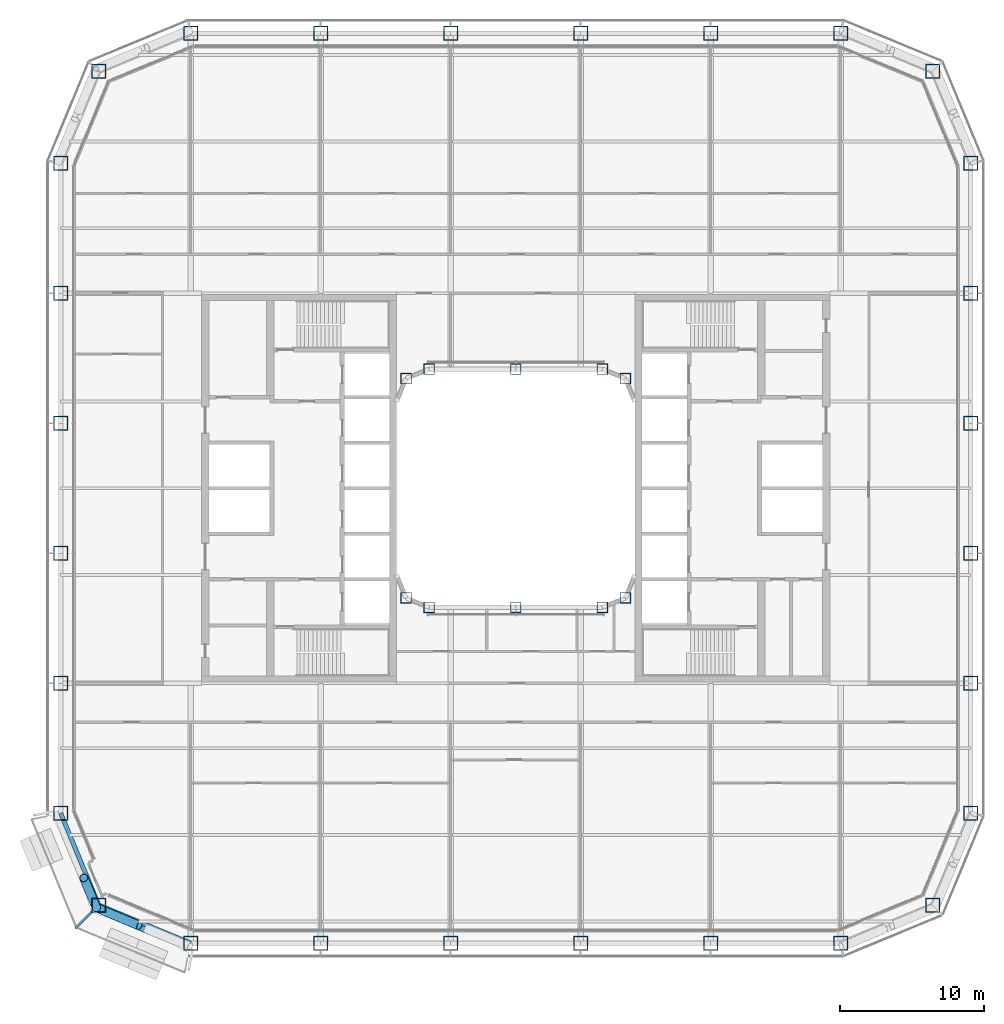
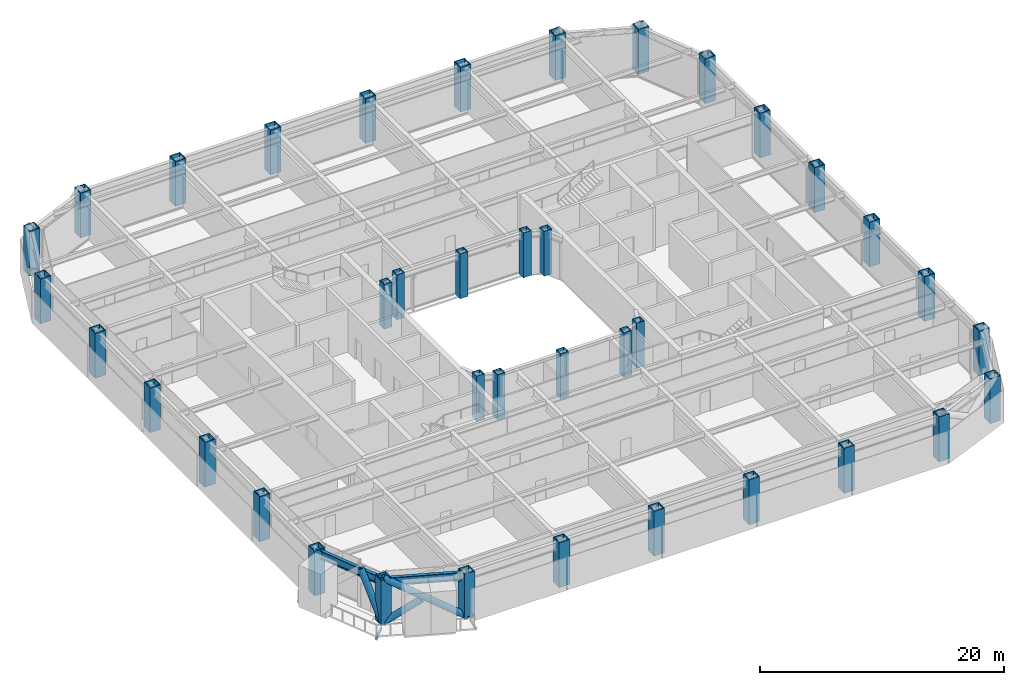
# One storey, part 1 of 27: 38 columns, 3 beams, 3 members.
"""IFC4 building model written with IfcOpenShell, lengths in metres."""

import ifcopenshell
import ifcopenshell.guid

model = None  # the IFC model being written
_history = None  # IfcOwnerHistory: only IFC2X3 demands one
_inside = {}  # id of a spatial element -> (the spatial element, [elements in it])
_under = {}  # id of a project, library or spatial element -> (it, [spatial elements below it])
_declared = {}  # id of a project -> (the project, [libraries it declares])
_typed = {}  # id of a type object -> (the type object, [elements of that type])
_made_of = {}  # id of a material, layer set ... -> (it, [elements and type objects made of it])


def new_model(schema):
    """Start an empty IFC model of exactly this schema.

    Asked for "IFC4X3", IfcOpenShell would pick the latest addendum, in which some entities
    have other attributes; the version numbers below select the first issue.
    IFC2X3 requires an IfcOwnerHistory on every rooted entity: one is made here for all.
    """
    global model, _history
    if schema == "IFC4X3":
        model = ifcopenshell.file(schema_version=(4, 3, 0, 0))
    else:
        model = ifcopenshell.file(schema=schema)
    _inside.clear()
    _under.clear()
    _declared.clear()
    _typed.clear()
    _made_of.clear()
    _history = None
    if model.schema == "IFC2X3":
        org = make("IfcOrganization", Name="unknown")
        user = make(
            "IfcPersonAndOrganization",
            ThePerson=make("IfcPerson", FamilyName="unknown"),
            TheOrganization=org,
        )
        app = make(
            "IfcApplication",
            ApplicationDeveloper=org,
            Version="unknown",
            ApplicationFullName="unknown",
            ApplicationIdentifier="unknown",
        )
        _history = make(
            "IfcOwnerHistory",
            OwningUser=user,
            OwningApplication=app,
            ChangeAction="ADDED",
            CreationDate=0,
        )
    return model


def make(cls, **values):
    """One entity of the class cls with the attributes given. An attribute that is None is left unset."""
    return model.create_entity(
        cls, **{name: value for name, value in values.items() if value is not None}
    )


def rooted(cls, **values):
    """An entity with a GlobalId (a new one), such as an element, a storey or a relation."""
    return make(cls, GlobalId=ifcopenshell.guid.new(), OwnerHistory=_history, **values)


def si_unit(unit_type, name, prefix=None):
    """IfcSIUnit, for example si_unit("LENGTHUNIT", "METRE", prefix="MILLI")."""
    return make("IfcSIUnit", UnitType=unit_type, Prefix=prefix, Name=name)


def assignment(units):
    """IfcUnitAssignment: the units of a project."""
    return None if units is None else make("IfcUnitAssignment", Units=units)


def point(xyz):
    """IfcCartesianPoint."""
    return None if xyz is None else make("IfcCartesianPoint", Coordinates=xyz)


def direction(xyz):
    """IfcDirection."""
    return None if xyz is None else make("IfcDirection", DirectionRatios=xyz)


def frame(location, z_axis=None, x_axis=None):
    """IfcAxis2Placement3D, a coordinate frame: its origin and axes. An axis left out is left unset."""
    return make(
        "IfcAxis2Placement3D",
        Location=point(location),
        Axis=direction(z_axis),
        RefDirection=direction(x_axis),
    )


def frame_2d(location, x_axis=None):
    """IfcAxis2Placement2D, a coordinate frame in the plane: its origin and x axis."""
    return make(
        "IfcAxis2Placement2D", Location=point(location), RefDirection=direction(x_axis)
    )


def origin():
    """The frame at (0, 0, 0) with its axes left unset."""
    return frame((0.0, 0.0, 0.0))


def origin_2d():
    """The frame at (0, 0) in the plane with its x axis left unset."""
    return frame_2d((0.0, 0.0))


def place(relative_to, where):
    """IfcLocalPlacement: puts the frame where relative to a parent placement (None: the world)."""
    return make(
        "IfcLocalPlacement", PlacementRelTo=relative_to, RelativePlacement=where
    )


def context(
    kind, dimensions, precision=None, world=None, true_north=None, identifier=None
):
    """IfcGeometricRepresentationContext, for example the 3D "Model" context."""
    return make(
        "IfcGeometricRepresentationContext",
        ContextIdentifier=identifier,
        ContextType=kind,
        CoordinateSpaceDimension=dimensions,
        Precision=precision,
        WorldCoordinateSystem=world,
        TrueNorth=true_north,
    )


def subcontext(parent, identifier, kind, view, scale=None):
    """IfcGeometricRepresentationSubContext, for example "Body" below "Model"."""
    return make(
        "IfcGeometricRepresentationSubContext",
        ContextIdentifier=identifier,
        ContextType=kind,
        ParentContext=parent,
        TargetScale=scale,
        TargetView=view,
    )


def project(units=None, contexts=None):
    """IfcProject with its units and contexts."""
    return rooted(
        "IfcProject",
        Name="project",
        RepresentationContexts=contexts,
        UnitsInContext=assignment(units),
    )


def spatial(cls, under=None, at=None, **own):
    """A site, building, storey or space (cls), placed at a placement, below another one or the project."""
    s = rooted(cls, ObjectPlacement=at, **own)
    if under is not None:
        _under.setdefault(under.id(), (under, []))[1].append(s)
    return s


def profile(cls, at=None, kind="AREA", **sizes):
    """A parametric profile (cls). Its sizes go by their IFC names, for example OverallWidth=200.0."""
    return make(cls, ProfileType=kind, Position=at, **sizes)


def hollow_rectangle(**sizes):
    """IfcRectangleHollowProfileDef."""
    return profile("IfcRectangleHollowProfileDef", **sizes)


def hollow_circle(**sizes):
    """IfcCircleHollowProfileDef."""
    return profile("IfcCircleHollowProfileDef", **sizes)


def i_section(**sizes):
    """IfcIShapeProfileDef."""
    return profile("IfcIShapeProfileDef", **sizes)


def extrude(swept, where, along, depth):
    """IfcExtrudedAreaSolid: the profile swept, set in the frame where, extruded along a direction by depth."""
    return make(
        "IfcExtrudedAreaSolid",
        SweptArea=swept,
        Position=where,
        ExtrudedDirection=direction(along),
        Depth=depth,
    )


def shape(context_of_items, identifier, shape_type, items):
    """IfcShapeRepresentation: the items that make up one representation, for example the "Body"."""
    return make(
        "IfcShapeRepresentation",
        ContextOfItems=context_of_items,
        RepresentationIdentifier=identifier,
        RepresentationType=shape_type,
        Items=items,
    )


def material(Name=None, Category=None):
    """IfcMaterial."""
    return make("IfcMaterial", Name=Name, Category=Category)


def material_profile(
    of_material, cross_section, Name=None, Category=None, Priority=None
):
    """IfcMaterialProfile: a cross section and its material."""
    return make(
        "IfcMaterialProfile",
        Name=Name,
        Material=of_material,
        Profile=cross_section,
        Priority=Priority,
        Category=Category,
    )


def profile_set(profiles, Name=None, composite=None):
    """IfcMaterialProfileSet."""
    return make(
        "IfcMaterialProfileSet",
        Name=Name,
        MaterialProfiles=profiles,
        CompositeProfile=composite,
    )


def made_of(thing, what):
    """Note that an element or type object is made of a material, layer set ...; save() writes the relation."""
    if what is not None:
        _made_of.setdefault(what.id(), (what, []))[1].append(thing)
    return thing


def type_object(cls, material=None, **own):
    """A type object (cls), such as IfcWallType, which elements share."""
    return made_of(rooted(cls, **own), material)


def element(
    cls,
    number,
    at=None,
    inside=None,
    cuts=None,
    type_object=None,
    material=None,
    context=None,
    identifier="Body",
    shape_type=None,
    held_by="IfcProductDefinitionShape",
    body=None,
    shapes=None,
    **own,
):
    """One element of the class cls, such as IfcWall. Its Tag is "e" and its number.

    at: its placement. inside: the storey or other place that contains it. cuts: it is an
    opening in that element (IfcRelVoidsElement). A single representation is given by context,
    identifier, shape_type and body (its items); several are given by shapes. held_by: the class
    of the entity that holds the representations. save() writes the other relations.
    """
    e = rooted(cls, Tag="e%d" % number, ObjectPlacement=at, **own)
    if body is not None:
        shapes = [shape(context, identifier, shape_type, body)]
    if shapes is not None:
        e.Representation = make(held_by, Representations=shapes)
    if inside is not None:
        _inside.setdefault(inside.id(), (inside, []))[1].append(e)
    if cuts is not None:
        rooted(
            "IfcRelVoidsElement", RelatingBuildingElement=cuts, RelatedOpeningElement=e
        )
    if type_object is not None:
        _typed.setdefault(type_object.id(), (type_object, []))[1].append(e)
    return made_of(e, material)


def aggregate(whole, parts):
    """IfcRelAggregates: a whole, such as a stair, and the parts it consists of."""
    return rooted("IfcRelAggregates", RelatingObject=whole, RelatedObjects=parts)


def save(model, path):
    """Write the relations noted so far, then the file.

    IfcRelAggregates (storeys below a building ...), IfcRelContainedInSpatialStructure (elements
    in a storey), IfcRelDefinesByType, IfcRelAssociatesMaterial and IfcRelDeclares: one each for
    every whole, place, type object, material and project.
    """
    for whole, parts in _under.values():
        aggregate(whole, parts)
    for where, things in _inside.values():
        rooted(
            "IfcRelContainedInSpatialStructure",
            RelatedElements=things,
            RelatingStructure=where,
        )
    for kind, things in _typed.values():
        rooted("IfcRelDefinesByType", RelatedObjects=things, RelatingType=kind)
    for what, things in _made_of.values():
        rooted("IfcRelAssociatesMaterial", RelatedObjects=things, RelatingMaterial=what)
    for by, libraries in _declared.values():
        rooted("IfcRelDeclares", RelatingContext=by, RelatedDefinitions=libraries)
    model.write(path)


model = new_model("IFC4")

# Units and contexts
model_context = context("Model", 3, precision=1e-05, world=origin(), true_north=direction((0.0, 1.0)))
body_context = subcontext(model_context, "Body", "Model", "MODEL_VIEW")
ifc_project = project(units=[si_unit("LENGTHUNIT", "METRE"), si_unit("AREAUNIT", "SQUARE_METRE"), si_unit("VOLUMEUNIT", "CUBIC_METRE"), si_unit("PLANEANGLEUNIT", "RADIAN"), si_unit("MASSUNIT", "GRAM", prefix="KILO")], contexts=[model_context])

# Site, building, storey
site_placement = place(None, origin())
site = spatial("IfcSite", under=ifc_project, at=site_placement, CompositionType="ELEMENT")
building_placement = place(site_placement, origin())
building = spatial("IfcBuilding", under=site, at=building_placement, Name="Siwar Civic Tower", CompositionType="ELEMENT")
storey_placement = place(building_placement, frame((0.0, 0.0, 71.699951171875)))
storey = spatial("IfcBuildingStorey", under=building, at=storey_placement, Name="L15", CompositionType="ELEMENT", Elevation=71.699951171875)

# Columns
ifc_material_1 = material(Name="Steel S460", Category="steel")
ifc_material_profile_1 = material_profile(ifc_material_1, hollow_rectangle(XDim=1.0, YDim=1.0, WallThickness=0.06005859375, at=origin_2d()), Name="BOX1000x1000x60")
ifc_profile_set_1 = profile_set([ifc_material_profile_1], Name="Steel S460")
column_type_1 = type_object("IfcColumnType", Name="STR-COL-BOX1000x1000x60", PredefinedType="COLUMN", material=ifc_profile_set_1)
for number, where, z_axis, x_axis, name in (
    (1, (-22.5, -31.5, 0.0), (0.0, 0.0, 1.0), (1.0, 0.0, 0.0), "L15/col/S-0"),
    (2, (-13.5, -31.5, 0.0), (0.0, 0.0, 1.0), (1.0, 0.0, 0.0), "L15/col/S-1"),
    (3, (-4.5, -31.5, 0.0), (0.0, 0.0, 1.0), (1.0, 0.0, 0.0), "L15/col/S-2"),
    (4, (4.5, -31.5, 0.0), (0.0, 0.0, 1.0), (1.0, 0.0, 0.0), "L15/col/S-3"),
    (5, (13.5, -31.5, 0.0), (0.0, 0.0, 1.0), (1.0, 0.0, 0.0), "L15/col/S-4"),
    (6, (22.5, -31.5, 0.0), (0.0, 0.0, 1.0), (1.0, 0.0, 0.0), "L15/col/SE1-0"),
    (7, (28.864013671875, -28.864013671875, 0.0), (0.0, 0.0, 1.0), (1.0, 0.0, 0.0), "L15/col/SE2-0"),
    (8, (31.5, -22.5, 0.0), (0.0, 0.0, 1.0), (1.0, 0.0, 0.0), "L15/col/E-0"),
    (9, (31.5, -13.5, 0.0), (0.0, 0.0, 1.0), (1.0, 0.0, 0.0), "L15/col/E-1"),
    (10, (31.5, -4.5, 0.0), (0.0, 0.0, 1.0), (1.0, 0.0, 0.0), "L15/col/E-2"),
    (11, (31.5, 4.5, 0.0), (0.0, 0.0, 1.0), (1.0, 0.0, 0.0), "L15/col/E-3"),
    (12, (31.5, 13.5, 0.0), (0.0, 0.0, 1.0), (1.0, 0.0, 0.0), "L15/col/E-4"),
    (13, (31.5, 22.5, 0.0), (0.0, 0.0, 1.0), (1.0, 0.0, 0.0), "L15/col/NE1-0"),
    (14, (28.864013671875, 28.864013671875, 0.0), (0.0, 0.0, 1.0), (1.0, 0.0, 0.0), "L15/col/NE2-0"),
    (15, (22.5, 31.5, 0.0), (0.0, 0.0, 1.0), (1.0, 0.0, 0.0), "L15/col/N-0"),
    (16, (13.5, 31.5, 0.0), (0.0, 0.0, 1.0), (1.0, 0.0, 0.0), "L15/col/N-1"),
    (17, (4.5, 31.5, 0.0), (0.0, 0.0, 1.0), (1.0, 0.0, 0.0), "L15/col/N-2"),
    (18, (-4.5, 31.5, 0.0), (0.0, 0.0, 1.0), (1.0, 0.0, 0.0), "L15/col/N-3"),
    (19, (-13.5, 31.5, 0.0), (0.0, 0.0, 1.0), (1.0, 0.0, 0.0), "L15/col/N-4"),
    (20, (-22.5, 31.5, 0.0), (0.0, 0.0, 1.0), (1.0, 0.0, 0.0), "L15/col/NW1-0"),
    (21, (-28.864013671875, 28.864013671875, 0.0), (0.0, 0.0, 1.0), (1.0, 0.0, 0.0), "L15/col/NW2-0"),
    (22, (-31.5, 22.5, 0.0), (0.0, 0.0, 1.0), (1.0, 0.0, 0.0), "L15/col/W-0"),
    (23, (-31.5, 13.5, 0.0), (0.0, 0.0, 1.0), (1.0, 0.0, 0.0), "L15/col/W-1"),
    (24, (-31.5, 4.5, 0.0), (0.0, 0.0, 1.0), (1.0, 0.0, 0.0), "L15/col/W-2"),
    (25, (-31.5, -4.5, 0.0), (0.0, 0.0, 1.0), (1.0, 0.0, 0.0), "L15/col/W-3"),
    (26, (-31.5, -13.5, 0.0), (0.0, 0.0, 1.0), (1.0, 0.0, 0.0), "L15/col/W-4"),
    (27, (-31.5, -22.5, 0.0), (0.0, 0.0, 1.0), (1.0, 0.0, 0.0), "L15/col/SW1-0"),
    (28, (-28.864013671875, -28.864013671875, 0.0), (0.0, 0.0, 1.0), (1.0, 0.0, 0.0), "L15/col/SW2-0"),
):
    element("IfcColumn", number, at=place(storey_placement, frame(where, z_axis=z_axis, x_axis=x_axis)), inside=storey, type_object=column_type_1, Name=name, PredefinedType="COLUMN", context=body_context, shape_type="SweptSolid", body=[
        extrude(hollow_rectangle(XDim=1.0, YDim=1.0, WallThickness=0.06005859375, at=origin_2d()), origin(), (0.0, 0.0, 1.0), 4.5),
    ])
ifc_material_2 = material(Name="Steel S355", Category="steel")
ifc_material_profile_2 = material_profile(ifc_material_2, hollow_rectangle(XDim=0.75, YDim=0.75, WallThickness=0.044921875, at=origin_2d()), Name="BOX750x750x45")
ifc_profile_set_2 = profile_set([ifc_material_profile_2], Name="Steel S355")
column_type_2 = type_object("IfcColumnType", Name="STR-ICOL-BOX750x750x45", PredefinedType="COLUMN", material=ifc_profile_set_2)
for number, where, z_axis, x_axis, name in (
    (29, (-7.591064453125, -7.591064453125, 0.0), (0.0, 0.0, 1.0), (1.0, 0.0, 0.0), "L15/col/IS-0"),
    (30, (-6.0, -8.25, 0.0), (0.0, 0.0, 1.0), (1.0, 0.0, 0.0), "L15/col/IS-1"),
    (31, (0.0, -8.25, 0.0), (0.0, 0.0, 1.0), (1.0, 0.0, 0.0), "L15/col/IS-2"),
    (32, (6.0, -8.25, 0.0), (0.0, 0.0, 1.0), (1.0, 0.0, 0.0), "L15/col/IS-3"),
    (33, (7.591064453125, -7.591064453125, 0.0), (0.0, 0.0, 1.0), (1.0, 0.0, 0.0), "L15/col/IS-4"),
    (34, (-7.591064453125, 7.591064453125, 0.0), (0.0, 0.0, 1.0), (1.0, 0.0, 0.0), "L15/col/IN-0"),
    (35, (-6.0, 8.25, 0.0), (0.0, 0.0, 1.0), (1.0, 0.0, 0.0), "L15/col/IN-1"),
    (36, (0.0, 8.25, 0.0), (0.0, 0.0, 1.0), (1.0, 0.0, 0.0), "L15/col/IN-2"),
    (37, (6.0, 8.25, 0.0), (0.0, 0.0, 1.0), (1.0, 0.0, 0.0), "L15/col/IN-3"),
    (38, (7.591064453125, 7.591064453125, 0.0), (0.0, 0.0, 1.0), (1.0, 0.0, 0.0), "L15/col/IN-4"),
):
    element("IfcColumn", number, at=place(storey_placement, frame(where, z_axis=z_axis, x_axis=x_axis)), inside=storey, type_object=column_type_2, Name=name, PredefinedType="COLUMN", context=body_context, shape_type="SweptSolid", body=[
        extrude(hollow_rectangle(XDim=0.75, YDim=0.75, WallThickness=0.044921875, at=origin_2d()), origin(), (0.0, 0.0, 1.0), 4.5),
    ])

# Beam
ifc_material_3 = material(Name="Steel S355", Category="steel")
ifc_material_profile_3 = material_profile(ifc_material_3, hollow_rectangle(XDim=0.14990234375, YDim=0.25, WallThickness=0.010009765625, at=origin_2d()), Name="RHS250x150x10")
ifc_profile_set_3 = profile_set([ifc_material_profile_3], Name="Steel S355")
beam_type_1 = type_object("IfcBeamType", Name="ENV-BALCONY ARM", PredefinedType="BEAM", material=ifc_profile_set_3)
beam_placement = place(storey_placement, frame((-29.32861328125, -29.32861328125, -0.27490234375), z_axis=(-0.707106781187, -0.707106781187, 0.0), x_axis=(0.707106781187, -0.707106781187, 0.0)))
element("IfcBeam", 39, at=beam_placement, inside=storey, type_object=beam_type_1, Name="Balcony cantilever beam SW 2", PredefinedType="BEAM", context=body_context, shape_type="SweptSolid", body=[
    extrude(hollow_rectangle(XDim=0.14990234375, YDim=0.25, WallThickness=0.010009765625, at=origin_2d()), origin(), (0.0, 0.0, 1.0), 1.615966796875),
])

# Members
ifc_material_4 = material(Name="Steel S355", Category="steel")
ifc_material_profile_4 = material_profile(ifc_material_4, hollow_circle(Radius=0.304931640625, WallThickness=0.030029296875, at=origin_2d()), Name="CHS610x30")
ifc_profile_set_4 = profile_set([ifc_material_profile_4], Name="Steel S355")
member_type = type_object("IfcMemberType", Name="STR-BR-CHS610x30", PredefinedType="BRACE", material=ifc_profile_set_4)
member_1_placement = place(storey_placement, frame((-22.548828125, -31.7451171875, 0.0), z_axis=(-0.777554562952, 0.323905527954, 0.538975055633), x_axis=(-0.384538969033, -0.923108759191, 0.0)))
element("IfcMember", 40, at=member_1_placement, inside=storey, type_object=member_type, Name="L15/brc/ASW1-14-0-1", PredefinedType="BRACE", context=body_context, shape_type="SweptSolid", body=[
    extrude(hollow_circle(Radius=0.304931640625, WallThickness=0.030029296875, at=origin_2d()), origin(), (0.0, 0.0, 1.0), 8.34912109375),
])
member_2_placement = place(storey_placement, frame((-29.040771484375, -29.040771484375, 0.0), z_axis=(0.777542179573, -0.323922979564, 0.53898243227), x_axis=(0.384561842466, 0.923099230484, 0.0)))
element("IfcMember", 41, at=member_2_placement, inside=storey, type_object=member_type, Name="L15/brc/ASW1-14-0-2", PredefinedType="BRACE", context=body_context, shape_type="SweptSolid", body=[
    extrude(hollow_circle(Radius=0.304931640625, WallThickness=0.030029296875, at=origin_2d()), origin(), (0.0, 0.0, 1.0), 3.84375),
])
member_3_placement = place(storey_placement, frame((-29.040771484375, -29.040771484375, 0.0), z_axis=(-0.171426870802, 0.411570178484, 0.895110504993), x_axis=(-0.923125254544, -0.384499368559, 0.0)))
element("IfcMember", 42, at=member_3_placement, inside=storey, type_object=member_type, Name="L15/brc/ASW1-14-0-6", PredefinedType="BRACE", context=body_context, shape_type="SweptSolid", body=[
    extrude(hollow_circle(Radius=0.304931640625, WallThickness=0.030029296875, at=origin_2d()), origin(), (0.0, 0.0, 1.0), 5.02734375),
])

# Beams
ifc_material_5 = material(Name="Steel S355", Category="steel")
ifc_material_profile_5 = material_profile(ifc_material_5, i_section(OverallWidth=0.302978515625, OverallDepth=0.81396484375, WebThickness=0.02099609375, FlangeThickness=0.0400390625, FilletRadius=0.030029296875, at=origin_2d()), Name="HEM800")
ifc_profile_set_5 = profile_set([ifc_material_profile_5], Name="Steel S355")
beam_type_2 = type_object("IfcBeamType", Name="STR-SB-HEM800", PredefinedType="BEAM", material=ifc_profile_set_5)
for number, where, z_axis, x_axis, name in (
    (43, (-31.5, -22.5, 3.943115234375), (0.382674207535, -0.923883353507, 0.0), (0.923883353507, 0.382674207535, 0.0), "L15/bm/SSW1-0"),
    (44, (-28.864013671875, -28.864013671875, 3.943115234375), (0.923883353507, -0.382674207535, 0.0), (0.382674207535, 0.923883353507, 0.0), "L15/bm/SSW2-0"),
):
    element("IfcBeam", number, at=place(storey_placement, frame(where, z_axis=z_axis, x_axis=x_axis)), inside=storey, type_object=beam_type_2, Name=name, PredefinedType="BEAM", context=body_context, shape_type="SweptSolid", body=[
        extrude(i_section(OverallWidth=0.302978515625, OverallDepth=0.81396484375, WebThickness=0.02099609375, FlangeThickness=0.0400390625, FilletRadius=0.030029296875, at=origin_2d()), origin(), (0.0, 0.0, 1.0), 6.888427734375),
    ])

save(model, "model.ifc")
